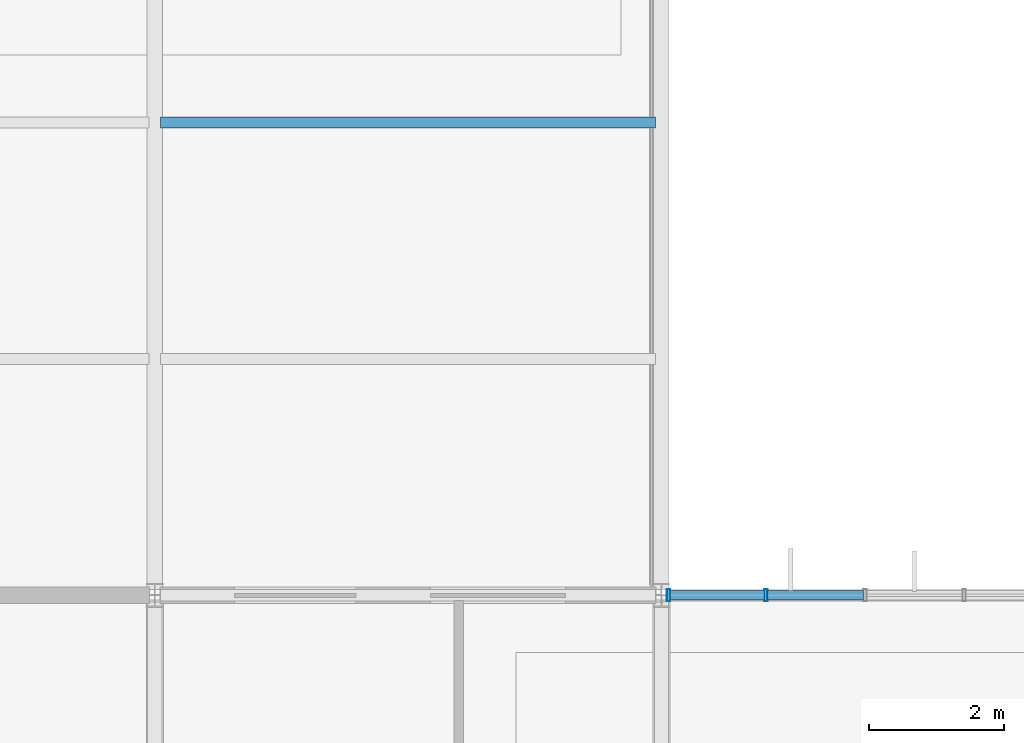
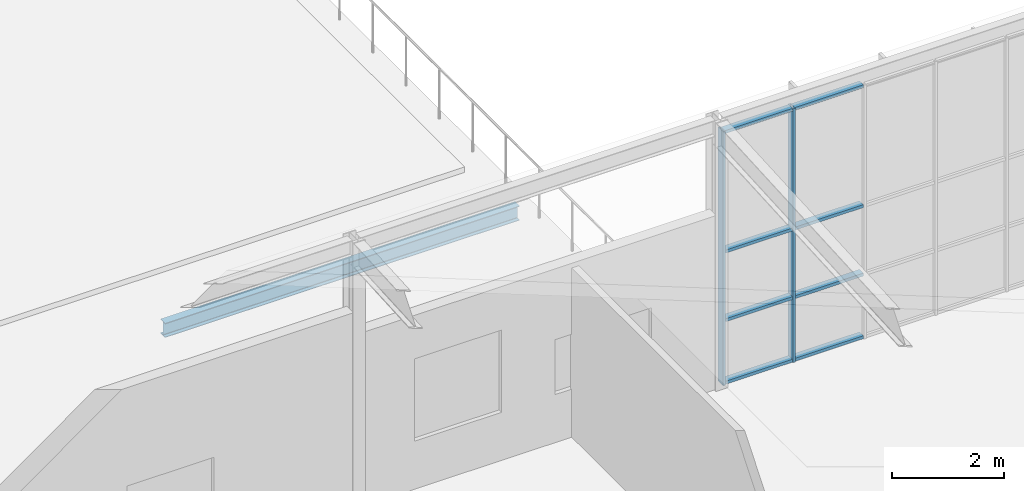
# One storey, part 27 of 104: 10 members, 1 beam, 1 element without a shape of its own.
"""IFC4 building model written with IfcOpenShell, lengths in metres."""

from ifc_helpers import new_model, si_unit, direction, frame, origin, origin_2d, place, context, subcontext, project, spatial, hollow_rectangle, i_section, extrude, material, layer, layer_set, material_profile, profile_set, type_object, element, aggregate, save


model = new_model("IFC4")

# Units and contexts
model_context = context("Model", 3, precision=1e-05, world=origin(), true_north=direction((0.0, 1.0)))
body_context = subcontext(model_context, "Body", "Model", "MODEL_VIEW")
ifc_project = project(units=[si_unit("LENGTHUNIT", "METRE"), si_unit("AREAUNIT", "SQUARE_METRE"), si_unit("VOLUMEUNIT", "CUBIC_METRE"), si_unit("PLANEANGLEUNIT", "RADIAN"), si_unit("MASSUNIT", "GRAM", prefix="KILO")], contexts=[model_context])

# Site, building, storey
site_placement = place(None, origin())
site = spatial("IfcSite", under=ifc_project, at=site_placement, CompositionType="ELEMENT")
building_placement = place(site_placement, origin())
building = spatial("IfcBuilding", under=site, at=building_placement, Name="Solvenia Promenade Tram Depot", CompositionType="ELEMENT")
storey_placement = place(building_placement, frame((0.0, 0.0, 9.0)))
storey = spatial("IfcBuildingStorey", under=building, at=storey_placement, Name="L02", CompositionType="ELEMENT", Elevation=9.0)

# Curtain wall, members
ifc_material_1 = material(Name="Anodized aluminium AW-6063 T6", Category="aluminium")
ifc_layer = layer(ifc_material_1, 0.14990234375, Name="Anodized aluminium AW-6063 T6", Category="aluminium")
ifc_layer_set = layer_set([ifc_layer], Name="Anodized aluminium AW-6063 T6")
curtain_wall_type = type_object("IfcCurtainWallType", Name="CW-Court-1500", PredefinedType="NOTDEFINED", material=ifc_layer_set)
curtain_wall_placement = place(storey_placement, origin())
curtain_wall = element("IfcCurtainWall", 1, at=curtain_wall_placement, inside=storey, type_object=curtain_wall_type, Name="Curtain Wall CW-V4N-L02-07", PredefinedType="NOTDEFINED")
ifc_material_profile_1 = material_profile(ifc_material_1, hollow_rectangle(XDim=0.179931640625, YDim=0.050048828125, WallThickness=0.00390625, at=origin_2d()), Name="ALU-M2", Category="aluminium")
ifc_profile_set_1 = profile_set([ifc_material_profile_1], Name="Anodized aluminium AW-6063 T6")
member_type_1 = type_object("IfcMemberType", Name="CWM-Mullion-2", PredefinedType="MULLION", material=ifc_profile_set_1)
member_1_placement = place(storey_placement, frame((45.10498046875, 24.0, 0.0), z_axis=(0.0, 0.0, 1.0), x_axis=(0.0, 1.0, 0.0)))
member_1 = element("IfcMember", 2, at=member_1_placement, type_object=member_type_1, Name="CW-5 mullion 1", PredefinedType="MULLION", context=body_context, shape_type="SweptSolid", body=[
    extrude(hollow_rectangle(XDim=0.179931640625, YDim=0.050048828125, WallThickness=0.00390625, at=origin_2d()), origin(), (0.0, 0.0, 1.0), 5.550048828125),
])
member_2_placement = place(storey_placement, frame((46.548095703125, 24.0, 0.0), z_axis=(0.0, 0.0, 1.0), x_axis=(0.0, 1.0, 0.0)))
member_2 = element("IfcMember", 3, at=member_2_placement, type_object=member_type_1, Name="CW-5 mullion 2", PredefinedType="MULLION", context=body_context, shape_type="SweptSolid", body=[
    extrude(hollow_rectangle(XDim=0.179931640625, YDim=0.050048828125, WallThickness=0.00390625, at=origin_2d()), origin(), (0.0, 0.0, 1.0), 5.550048828125),
])
ifc_material_profile_2 = material_profile(ifc_material_1, hollow_rectangle(XDim=0.139892578125, YDim=0.06494140625, WallThickness=0.00390625, at=origin_2d()), Name="ALU-T2", Category="aluminium")
ifc_profile_set_2 = profile_set([ifc_material_profile_2], Name="Anodized aluminium AW-6063 T6")
member_type_2 = type_object("IfcMemberType", Name="CWT-Transom-2", PredefinedType="USERDEFINED", material=ifc_profile_set_2)
member_3_placement = place(storey_placement, frame((45.1298828125, 24.0, 0.032470703125), z_axis=(1.0, 0.0, 0.0), x_axis=(0.0, 1.0, 0.0)))
member_3 = element("IfcMember", 4, at=member_3_placement, type_object=member_type_2, Name="CW-5 transom 1.1", ObjectType="TRANSOM", PredefinedType="USERDEFINED", context=body_context, shape_type="SweptSolid", body=[
    extrude(hollow_rectangle(XDim=0.139892578125, YDim=0.06494140625, WallThickness=0.00390625, at=origin_2d()), origin(), (0.0, 0.0, 1.0), 1.39306640625),
])
member_4_placement = place(storey_placement, frame((45.1298828125, 24.0, 1.39990234375), z_axis=(1.0, 0.0, 0.0), x_axis=(0.0, 1.0, 0.0)))
member_4 = element("IfcMember", 5, at=member_4_placement, type_object=member_type_2, Name="CW-5 transom 1.2", ObjectType="TRANSOM", PredefinedType="USERDEFINED", context=body_context, shape_type="SweptSolid", body=[
    extrude(hollow_rectangle(XDim=0.139892578125, YDim=0.06494140625, WallThickness=0.00390625, at=origin_2d()), origin(), (0.0, 0.0, 1.0), 1.39306640625),
])
member_5_placement = place(storey_placement, frame((45.1298828125, 24.0, 2.89990234375), z_axis=(1.0, 0.0, 0.0), x_axis=(0.0, 1.0, 0.0)))
member_5 = element("IfcMember", 6, at=member_5_placement, type_object=member_type_2, Name="CW-5 transom 1.3", ObjectType="TRANSOM", PredefinedType="USERDEFINED", context=body_context, shape_type="SweptSolid", body=[
    extrude(hollow_rectangle(XDim=0.139892578125, YDim=0.06494140625, WallThickness=0.00390625, at=origin_2d()), origin(), (0.0, 0.0, 1.0), 1.39306640625),
])
member_6_placement = place(storey_placement, frame((45.1298828125, 24.0, 5.517578125), z_axis=(1.0, 0.0, 0.0), x_axis=(0.0, 1.0, 0.0)))
member_6 = element("IfcMember", 7, at=member_6_placement, type_object=member_type_2, Name="CW-5 transom 1.4", ObjectType="TRANSOM", PredefinedType="USERDEFINED", context=body_context, shape_type="SweptSolid", body=[
    extrude(hollow_rectangle(XDim=0.139892578125, YDim=0.06494140625, WallThickness=0.00390625, at=origin_2d()), origin(), (0.0, 0.0, 1.0), 1.39306640625),
])
member_7_placement = place(storey_placement, frame((46.572998046875, 24.0, 0.032470703125), z_axis=(1.0, 0.0, 0.0), x_axis=(0.0, 1.0, 0.0)))
member_7 = element("IfcMember", 8, at=member_7_placement, type_object=member_type_2, Name="CW-5 transom 2.1", ObjectType="TRANSOM", PredefinedType="USERDEFINED", context=body_context, shape_type="SweptSolid", body=[
    extrude(hollow_rectangle(XDim=0.139892578125, YDim=0.06494140625, WallThickness=0.00390625, at=origin_2d()), origin(), (0.0, 0.0, 1.0), 1.41796875),
])
member_8_placement = place(storey_placement, frame((46.572998046875, 24.0, 1.39990234375), z_axis=(1.0, 0.0, 0.0), x_axis=(0.0, 1.0, 0.0)))
member_8 = element("IfcMember", 9, at=member_8_placement, type_object=member_type_2, Name="CW-5 transom 2.2", ObjectType="TRANSOM", PredefinedType="USERDEFINED", context=body_context, shape_type="SweptSolid", body=[
    extrude(hollow_rectangle(XDim=0.139892578125, YDim=0.06494140625, WallThickness=0.00390625, at=origin_2d()), origin(), (0.0, 0.0, 1.0), 1.41796875),
])
member_9_placement = place(storey_placement, frame((46.572998046875, 24.0, 2.89990234375), z_axis=(1.0, 0.0, 0.0), x_axis=(0.0, 1.0, 0.0)))
member_9 = element("IfcMember", 10, at=member_9_placement, type_object=member_type_2, Name="CW-5 transom 2.3", ObjectType="TRANSOM", PredefinedType="USERDEFINED", context=body_context, shape_type="SweptSolid", body=[
    extrude(hollow_rectangle(XDim=0.139892578125, YDim=0.06494140625, WallThickness=0.00390625, at=origin_2d()), origin(), (0.0, 0.0, 1.0), 1.41796875),
])
member_10_placement = place(storey_placement, frame((46.572998046875, 24.0, 5.517578125), z_axis=(1.0, 0.0, 0.0), x_axis=(0.0, 1.0, 0.0)))
member_10 = element("IfcMember", 11, at=member_10_placement, type_object=member_type_2, Name="CW-5 transom 2.4", ObjectType="TRANSOM", PredefinedType="USERDEFINED", context=body_context, shape_type="SweptSolid", body=[
    extrude(hollow_rectangle(XDim=0.139892578125, YDim=0.06494140625, WallThickness=0.00390625, at=origin_2d()), origin(), (0.0, 0.0, 1.0), 1.41796875),
])
aggregate(curtain_wall, [member_1, member_2, member_3, member_4, member_5, member_6, member_7, member_8, member_9, member_10])

# Beam
ifc_material_2 = material(Name="Structural steel ASTM A992 Gr. 50", Category="steel")
ifc_material_profile_3 = material_profile(ifc_material_2, i_section(OverallWidth=0.166015625, OverallDepth=0.31298828125, WebThickness=0.006591796875, FlangeThickness=0.01123046875, FilletRadius=0.010009765625, at=origin_2d()), Name="W310x45", Category="steel")
ifc_profile_set_3 = profile_set([ifc_material_profile_3], Name="Structural steel ASTM A992 Gr. 50")
beam_type = type_object("IfcBeamType", Name="Joist-W310x45", PredefinedType="JOIST", material=ifc_profile_set_3)
beam_placement = place(storey_placement, frame((37.5849609375, 31.0, -0.41650390625), z_axis=(1.0, 0.0, 0.0), x_axis=(0.0, 1.0, 0.0)))
element("IfcBeam", 12, at=beam_placement, inside=storey, type_object=beam_type, Name="Secondary Floor Joist BM-L02-0733", PredefinedType="JOIST", context=body_context, shape_type="SweptSolid", body=[
    extrude(i_section(OverallWidth=0.166015625, OverallDepth=0.31298828125, WebThickness=0.006591796875, FlangeThickness=0.01123046875, FilletRadius=0.010009765625, at=origin_2d()), origin(), (0.0, 0.0, 1.0), 7.330078125),
])

save(model, "model.ifc")
